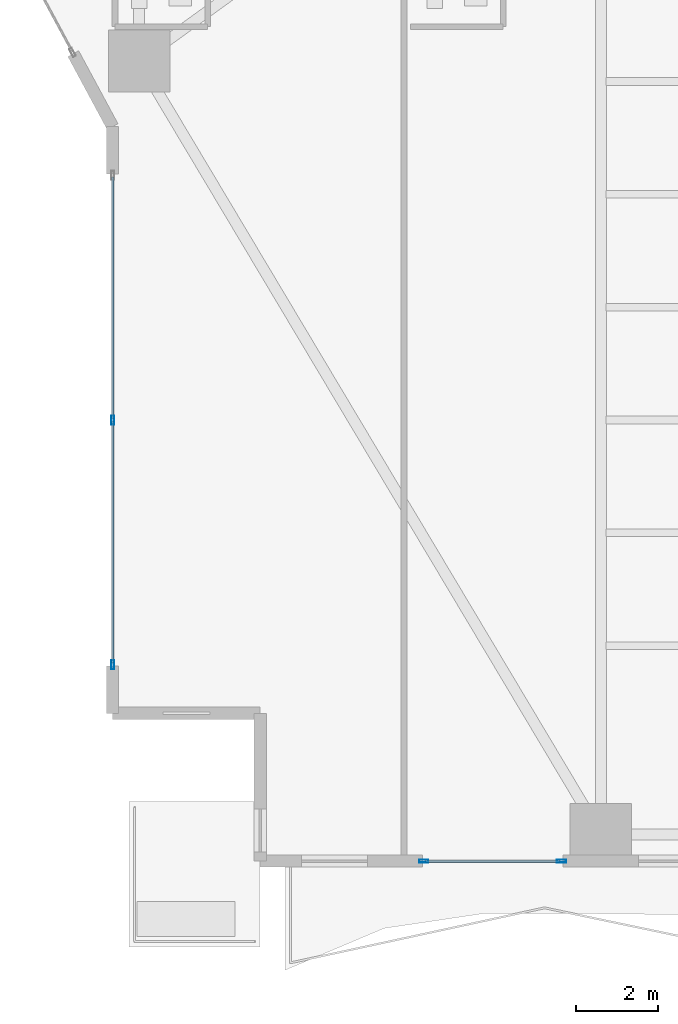
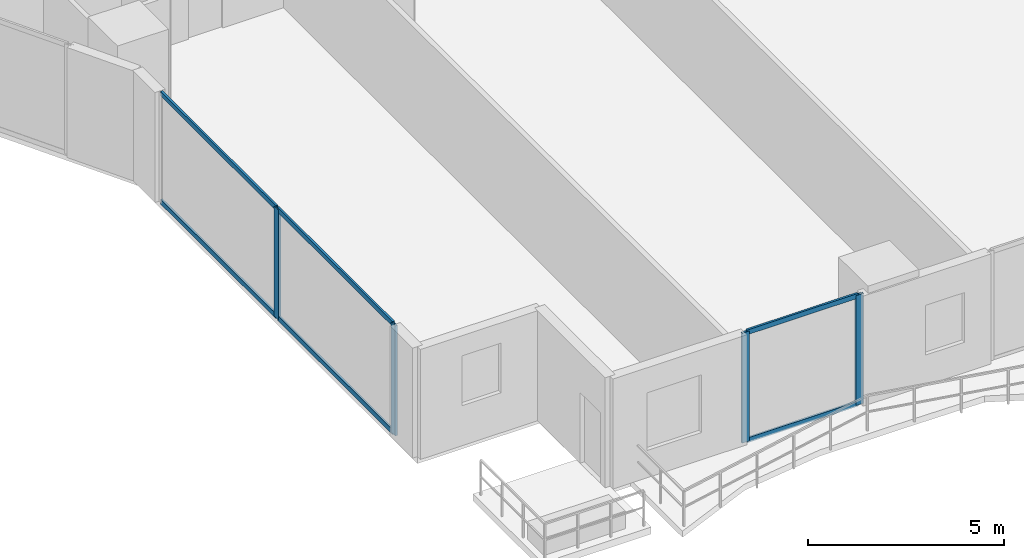
# One storey, part 2 of 28: 10 members, 2 elements without a shape of their own.
"""IFC4 building model written with IfcOpenShell, lengths in metres."""

import ifcopenshell
import ifcopenshell.guid

model = None  # the IFC model being written
_history = None  # IfcOwnerHistory: only IFC2X3 demands one
_inside = {}  # id of a spatial element -> (the spatial element, [elements in it])
_under = {}  # id of a project, library or spatial element -> (it, [spatial elements below it])
_declared = {}  # id of a project -> (the project, [libraries it declares])
_typed = {}  # id of a type object -> (the type object, [elements of that type])
_made_of = {}  # id of a material, layer set ... -> (it, [elements and type objects made of it])


def new_model(schema):
    """Start an empty IFC model of exactly this schema.

    Asked for "IFC4X3", IfcOpenShell would pick the latest addendum, in which some entities
    have other attributes; the version numbers below select the first issue.
    IFC2X3 requires an IfcOwnerHistory on every rooted entity: one is made here for all.
    """
    global model, _history
    if schema == "IFC4X3":
        model = ifcopenshell.file(schema_version=(4, 3, 0, 0))
    else:
        model = ifcopenshell.file(schema=schema)
    _inside.clear()
    _under.clear()
    _declared.clear()
    _typed.clear()
    _made_of.clear()
    _history = None
    if model.schema == "IFC2X3":
        org = make("IfcOrganization", Name="unknown")
        user = make(
            "IfcPersonAndOrganization",
            ThePerson=make("IfcPerson", FamilyName="unknown"),
            TheOrganization=org,
        )
        app = make(
            "IfcApplication",
            ApplicationDeveloper=org,
            Version="unknown",
            ApplicationFullName="unknown",
            ApplicationIdentifier="unknown",
        )
        _history = make(
            "IfcOwnerHistory",
            OwningUser=user,
            OwningApplication=app,
            ChangeAction="ADDED",
            CreationDate=0,
        )
    return model


def make(cls, **values):
    """One entity of the class cls with the attributes given. An attribute that is None is left unset."""
    return model.create_entity(
        cls, **{name: value for name, value in values.items() if value is not None}
    )


def rooted(cls, **values):
    """An entity with a GlobalId (a new one), such as an element, a storey or a relation."""
    return make(cls, GlobalId=ifcopenshell.guid.new(), OwnerHistory=_history, **values)


def si_unit(unit_type, name, prefix=None):
    """IfcSIUnit, for example si_unit("LENGTHUNIT", "METRE", prefix="MILLI")."""
    return make("IfcSIUnit", UnitType=unit_type, Prefix=prefix, Name=name)


def assignment(units):
    """IfcUnitAssignment: the units of a project."""
    return None if units is None else make("IfcUnitAssignment", Units=units)


def point(xyz):
    """IfcCartesianPoint."""
    return None if xyz is None else make("IfcCartesianPoint", Coordinates=xyz)


def direction(xyz):
    """IfcDirection."""
    return None if xyz is None else make("IfcDirection", DirectionRatios=xyz)


def frame(location, z_axis=None, x_axis=None):
    """IfcAxis2Placement3D, a coordinate frame: its origin and axes. An axis left out is left unset."""
    return make(
        "IfcAxis2Placement3D",
        Location=point(location),
        Axis=direction(z_axis),
        RefDirection=direction(x_axis),
    )


def frame_2d(location, x_axis=None):
    """IfcAxis2Placement2D, a coordinate frame in the plane: its origin and x axis."""
    return make(
        "IfcAxis2Placement2D", Location=point(location), RefDirection=direction(x_axis)
    )


def origin():
    """The frame at (0, 0, 0) with its axes left unset."""
    return frame((0.0, 0.0, 0.0))


def origin_2d():
    """The frame at (0, 0) in the plane with its x axis left unset."""
    return frame_2d((0.0, 0.0))


def place(relative_to, where):
    """IfcLocalPlacement: puts the frame where relative to a parent placement (None: the world)."""
    return make(
        "IfcLocalPlacement", PlacementRelTo=relative_to, RelativePlacement=where
    )


def context(
    kind, dimensions, precision=None, world=None, true_north=None, identifier=None
):
    """IfcGeometricRepresentationContext, for example the 3D "Model" context."""
    return make(
        "IfcGeometricRepresentationContext",
        ContextIdentifier=identifier,
        ContextType=kind,
        CoordinateSpaceDimension=dimensions,
        Precision=precision,
        WorldCoordinateSystem=world,
        TrueNorth=true_north,
    )


def subcontext(parent, identifier, kind, view, scale=None):
    """IfcGeometricRepresentationSubContext, for example "Body" below "Model"."""
    return make(
        "IfcGeometricRepresentationSubContext",
        ContextIdentifier=identifier,
        ContextType=kind,
        ParentContext=parent,
        TargetScale=scale,
        TargetView=view,
    )


def project(units=None, contexts=None):
    """IfcProject with its units and contexts."""
    return rooted(
        "IfcProject",
        Name="project",
        RepresentationContexts=contexts,
        UnitsInContext=assignment(units),
    )


def spatial(cls, under=None, at=None, **own):
    """A site, building, storey or space (cls), placed at a placement, below another one or the project."""
    s = rooted(cls, ObjectPlacement=at, **own)
    if under is not None:
        _under.setdefault(under.id(), (under, []))[1].append(s)
    return s


def profile(cls, at=None, kind="AREA", **sizes):
    """A parametric profile (cls). Its sizes go by their IFC names, for example OverallWidth=200.0."""
    return make(cls, ProfileType=kind, Position=at, **sizes)


def hollow_rectangle(**sizes):
    """IfcRectangleHollowProfileDef."""
    return profile("IfcRectangleHollowProfileDef", **sizes)


def extrude(swept, where, along, depth):
    """IfcExtrudedAreaSolid: the profile swept, set in the frame where, extruded along a direction by depth."""
    return make(
        "IfcExtrudedAreaSolid",
        SweptArea=swept,
        Position=where,
        ExtrudedDirection=direction(along),
        Depth=depth,
    )


def shape(context_of_items, identifier, shape_type, items):
    """IfcShapeRepresentation: the items that make up one representation, for example the "Body"."""
    return make(
        "IfcShapeRepresentation",
        ContextOfItems=context_of_items,
        RepresentationIdentifier=identifier,
        RepresentationType=shape_type,
        Items=items,
    )


def material(Name=None, Category=None):
    """IfcMaterial."""
    return make("IfcMaterial", Name=Name, Category=Category)


def layer(
    of_material, thickness, ventilated=None, Name=None, Category=None, Priority=None
):
    """IfcMaterialLayer: one layer of a wall or slab, of a material (None: an air gap)."""
    return make(
        "IfcMaterialLayer",
        Material=of_material,
        LayerThickness=thickness,
        IsVentilated=ventilated,
        Name=Name,
        Category=Category,
        Priority=Priority,
    )


def layer_set(layers, Name=None):
    """IfcMaterialLayerSet."""
    return make("IfcMaterialLayerSet", MaterialLayers=layers, LayerSetName=Name)


def material_profile(
    of_material, cross_section, Name=None, Category=None, Priority=None
):
    """IfcMaterialProfile: a cross section and its material."""
    return make(
        "IfcMaterialProfile",
        Name=Name,
        Material=of_material,
        Profile=cross_section,
        Priority=Priority,
        Category=Category,
    )


def profile_set(profiles, Name=None, composite=None):
    """IfcMaterialProfileSet."""
    return make(
        "IfcMaterialProfileSet",
        Name=Name,
        MaterialProfiles=profiles,
        CompositeProfile=composite,
    )


def made_of(thing, what):
    """Note that an element or type object is made of a material, layer set ...; save() writes the relation."""
    if what is not None:
        _made_of.setdefault(what.id(), (what, []))[1].append(thing)
    return thing


def type_object(cls, material=None, **own):
    """A type object (cls), such as IfcWallType, which elements share."""
    return made_of(rooted(cls, **own), material)


def element(
    cls,
    number,
    at=None,
    inside=None,
    cuts=None,
    type_object=None,
    material=None,
    context=None,
    identifier="Body",
    shape_type=None,
    held_by="IfcProductDefinitionShape",
    body=None,
    shapes=None,
    **own,
):
    """One element of the class cls, such as IfcWall. Its Tag is "e" and its number.

    at: its placement. inside: the storey or other place that contains it. cuts: it is an
    opening in that element (IfcRelVoidsElement). A single representation is given by context,
    identifier, shape_type and body (its items); several are given by shapes. held_by: the class
    of the entity that holds the representations. save() writes the other relations.
    """
    e = rooted(cls, Tag="e%d" % number, ObjectPlacement=at, **own)
    if body is not None:
        shapes = [shape(context, identifier, shape_type, body)]
    if shapes is not None:
        e.Representation = make(held_by, Representations=shapes)
    if inside is not None:
        _inside.setdefault(inside.id(), (inside, []))[1].append(e)
    if cuts is not None:
        rooted(
            "IfcRelVoidsElement", RelatingBuildingElement=cuts, RelatedOpeningElement=e
        )
    if type_object is not None:
        _typed.setdefault(type_object.id(), (type_object, []))[1].append(e)
    return made_of(e, material)


def aggregate(whole, parts):
    """IfcRelAggregates: a whole, such as a stair, and the parts it consists of."""
    return rooted("IfcRelAggregates", RelatingObject=whole, RelatedObjects=parts)


def save(model, path):
    """Write the relations noted so far, then the file.

    IfcRelAggregates (storeys below a building ...), IfcRelContainedInSpatialStructure (elements
    in a storey), IfcRelDefinesByType, IfcRelAssociatesMaterial and IfcRelDeclares: one each for
    every whole, place, type object, material and project.
    """
    for whole, parts in _under.values():
        aggregate(whole, parts)
    for where, things in _inside.values():
        rooted(
            "IfcRelContainedInSpatialStructure",
            RelatedElements=things,
            RelatingStructure=where,
        )
    for kind, things in _typed.values():
        rooted("IfcRelDefinesByType", RelatedObjects=things, RelatingType=kind)
    for what, things in _made_of.values():
        rooted("IfcRelAssociatesMaterial", RelatedObjects=things, RelatingMaterial=what)
    for by, libraries in _declared.values():
        rooted("IfcRelDeclares", RelatingContext=by, RelatedDefinitions=libraries)
    model.write(path)


model = new_model("IFC4")

# Units and contexts
model_context = context("Model", 3, precision=1e-05, world=origin(), true_north=direction((0.0, 1.0)))
body_context = subcontext(model_context, "Body", "Model", "MODEL_VIEW")
ifc_project = project(units=[si_unit("LENGTHUNIT", "METRE"), si_unit("AREAUNIT", "SQUARE_METRE"), si_unit("VOLUMEUNIT", "CUBIC_METRE"), si_unit("PLANEANGLEUNIT", "RADIAN"), si_unit("MASSUNIT", "GRAM", prefix="KILO")], contexts=[model_context])

# Site, building, storey
site_placement = place(None, origin())
site = spatial("IfcSite", under=ifc_project, at=site_placement, CompositionType="ELEMENT")
building_placement = place(site_placement, origin())
building = spatial("IfcBuilding", under=site, at=building_placement, Name="Zuhayl Quay Hotel", CompositionType="ELEMENT")
storey_placement = place(building_placement, frame((0.0, 0.0, 75.050048828125)))
storey = spatial("IfcBuildingStorey", under=building, at=storey_placement, Name="L18", CompositionType="ELEMENT", Elevation=75.050048828125)

# Curtain wall, members
ifc_material_1 = material(Name="Anodised Aluminium 6063-T6", Category="aluminium")
ifc_layer = layer(ifc_material_1, 0.18994140625, Name="Anodised Aluminium 6063-T6", Category="aluminium")
ifc_layer_set = layer_set([ifc_layer], Name="Anodised Aluminium 6063-T6")
curtain_wall_type = type_object("IfcCurtainWallType", Name="CW_SYS_Z1", PredefinedType="USERDEFINED", material=ifc_layer_set)
curtain_wall_1_placement = place(storey_placement, origin())
curtain_wall_1 = element("IfcCurtainWall", 1, at=curtain_wall_1_placement, inside=storey, type_object=curtain_wall_type, Name="L18 Curtain Wall ENV_L18_E02_CW1", ObjectType="UNITISED CURTAIN WALL", PredefinedType="USERDEFINED")
ifc_material_2 = material(Name="Black-anodised aluminium 6063-T6", Category="aluminium")
ifc_material_profile_1 = material_profile(ifc_material_2, hollow_rectangle(XDim=0.074951171875, YDim=0.219970703125, WallThickness=0.00390625, at=origin_2d()), Name="ALU220X75")
ifc_profile_set_1 = profile_set([ifc_material_profile_1], Name="Black-anodised aluminium 6063-T6")
member_type_1 = type_object("IfcMemberType", Name="MB_CW_MUL_220", PredefinedType="MULLION", material=ifc_profile_set_1)
member_1_placement = place(storey_placement, frame((-25.699951171875, -18.3125, 0.0), z_axis=(0.0, 0.0, 1.0), x_axis=(-1.0, 0.0, 0.0)))
member_1 = element("IfcMember", 2, at=member_1_placement, type_object=member_type_1, Name="CW-Z1 mullion 1", PredefinedType="MULLION", context=body_context, shape_type="SweptSolid", body=[
    extrude(hollow_rectangle(XDim=0.074951171875, YDim=0.219970703125, WallThickness=0.00390625, at=origin_2d()), origin(), (0.0, 0.0, 1.0), 3.429931640625),
])
member_2_placement = place(storey_placement, frame((-25.699951171875, -12.35009765625, 0.0), z_axis=(0.0, 0.0, 1.0), x_axis=(-1.0, 0.0, 0.0)))
member_2 = element("IfcMember", 3, at=member_2_placement, type_object=member_type_1, Name="CW-Z1 mullion 2", PredefinedType="MULLION", context=body_context, shape_type="SweptSolid", body=[
    extrude(hollow_rectangle(XDim=0.074951171875, YDim=0.219970703125, WallThickness=0.00390625, at=origin_2d()), origin(), (0.0, 0.0, 1.0), 3.429931640625),
])

curtain_wall_2_placement = place(storey_placement, origin())
curtain_wall_2 = element("IfcCurtainWall", 4, at=curtain_wall_2_placement, inside=storey, type_object=curtain_wall_type, Name="L18 Curtain Wall ENV_L18_S_CW6", ObjectType="UNITISED CURTAIN WALL", PredefinedType="USERDEFINED")
member_3_placement = place(storey_placement, frame((-14.757568359375, -23.10009765625, 0.0), z_axis=(0.0, 0.0, 1.0), x_axis=(0.0, -1.0, 0.0)))
member_3 = element("IfcMember", 5, at=member_3_placement, type_object=member_type_1, Name="CW-Z1 mullion 1", PredefinedType="MULLION", context=body_context, shape_type="SweptSolid", body=[
    extrude(hollow_rectangle(XDim=0.074951171875, YDim=0.219970703125, WallThickness=0.00390625, at=origin_2d()), origin(), (0.0, 0.0, 1.0), 3.429931640625),
])
member_4_placement = place(storey_placement, frame((-18.112548828125, -23.10009765625, 0.0), z_axis=(0.0, 0.0, 1.0), x_axis=(0.0, -1.0, 0.0)))
member_4 = element("IfcMember", 6, at=member_4_placement, type_object=member_type_1, Name="CW-Z1 mullion 2", PredefinedType="MULLION", context=body_context, shape_type="SweptSolid", body=[
    extrude(hollow_rectangle(XDim=0.074951171875, YDim=0.219970703125, WallThickness=0.00390625, at=origin_2d()), origin(), (0.0, 0.0, 1.0), 3.429931640625),
])

# Member
ifc_material_profile_2 = material_profile(ifc_material_2, hollow_rectangle(XDim=0.06005859375, YDim=0.14990234375, WallThickness=0.00341796875, at=origin_2d()), Name="ALU150X60")
ifc_profile_set_2 = profile_set([ifc_material_profile_2], Name="Black-anodised aluminium 6063-T6")
member_type_2 = type_object("IfcMemberType", Name="MB_CW_TRN_150", PredefinedType="USERDEFINED", material=ifc_profile_set_2)
member_5_placement = place(storey_placement, frame((-25.699951171875, -18.27490234375, 0.030029296875), z_axis=(0.0, 1.0, 0.0), x_axis=(-1.0, 0.0, 0.0)))
member_5 = element("IfcMember", 7, at=member_5_placement, type_object=member_type_2, Name="CW-Z1 transom 1.1", ObjectType="TRANSOM", PredefinedType="USERDEFINED", context=body_context, shape_type="SweptSolid", body=[
    extrude(hollow_rectangle(XDim=0.06005859375, YDim=0.14990234375, WallThickness=0.00341796875, at=origin_2d()), origin(), (0.0, 0.0, 1.0), 5.887451171875),
])

member_6_placement = place(storey_placement, frame((-25.699951171875, -18.27490234375, 3.39990234375), z_axis=(0.0, 1.0, 0.0), x_axis=(-1.0, 0.0, 0.0)))
member_6 = element("IfcMember", 8, at=member_6_placement, type_object=member_type_2, Name="CW-Z1 transom 1.2", ObjectType="TRANSOM", PredefinedType="USERDEFINED", context=body_context, shape_type="SweptSolid", body=[
    extrude(hollow_rectangle(XDim=0.06005859375, YDim=0.14990234375, WallThickness=0.00341796875, at=origin_2d()), origin(), (0.0, 0.0, 1.0), 5.887451171875),
])

member_7_placement = place(storey_placement, frame((-25.699951171875, -12.3125, 0.030029296875), z_axis=(0.0, 1.0, 0.0), x_axis=(-1.0, 0.0, 0.0)))
member_7 = element("IfcMember", 9, at=member_7_placement, type_object=member_type_2, Name="CW-Z1 transom 2.1", ObjectType="TRANSOM", PredefinedType="USERDEFINED", context=body_context, shape_type="SweptSolid", body=[
    extrude(hollow_rectangle(XDim=0.06005859375, YDim=0.14990234375, WallThickness=0.00341796875, at=origin_2d()), origin(), (0.0, 0.0, 1.0), 5.887451171875),
])

member_8_placement = place(storey_placement, frame((-25.699951171875, -12.3125, 3.39990234375), z_axis=(0.0, 1.0, 0.0), x_axis=(-1.0, 0.0, 0.0)))
member_8 = element("IfcMember", 10, at=member_8_placement, type_object=member_type_2, Name="CW-Z1 transom 2.2", ObjectType="TRANSOM", PredefinedType="USERDEFINED", context=body_context, shape_type="SweptSolid", body=[
    extrude(hollow_rectangle(XDim=0.06005859375, YDim=0.14990234375, WallThickness=0.00341796875, at=origin_2d()), origin(), (0.0, 0.0, 1.0), 5.887451171875),
])

aggregate(curtain_wall_1, [member_1, member_2, member_5, member_6, member_7, member_8])

member_9_placement = place(storey_placement, frame((-14.794921875, -23.10009765625, 0.030029296875), z_axis=(-1.0, 0.0, 0.0), x_axis=(0.0, -1.0, 0.0)))
member_9 = element("IfcMember", 11, at=member_9_placement, type_object=member_type_2, Name="CW-Z1 transom 1.1", ObjectType="TRANSOM", PredefinedType="USERDEFINED", context=body_context, shape_type="SweptSolid", body=[
    extrude(hollow_rectangle(XDim=0.06005859375, YDim=0.14990234375, WallThickness=0.00341796875, at=origin_2d()), origin(), (0.0, 0.0, 1.0), 3.280029296875),
])

member_10_placement = place(storey_placement, frame((-14.794921875, -23.10009765625, 3.39990234375), z_axis=(-1.0, 0.0, 0.0), x_axis=(0.0, -1.0, 0.0)))
member_10 = element("IfcMember", 12, at=member_10_placement, type_object=member_type_2, Name="CW-Z1 transom 1.2", ObjectType="TRANSOM", PredefinedType="USERDEFINED", context=body_context, shape_type="SweptSolid", body=[
    extrude(hollow_rectangle(XDim=0.06005859375, YDim=0.14990234375, WallThickness=0.00341796875, at=origin_2d()), origin(), (0.0, 0.0, 1.0), 3.280029296875),
])

aggregate(curtain_wall_2, [member_3, member_4, member_9, member_10])

save(model, "model.ifc")
